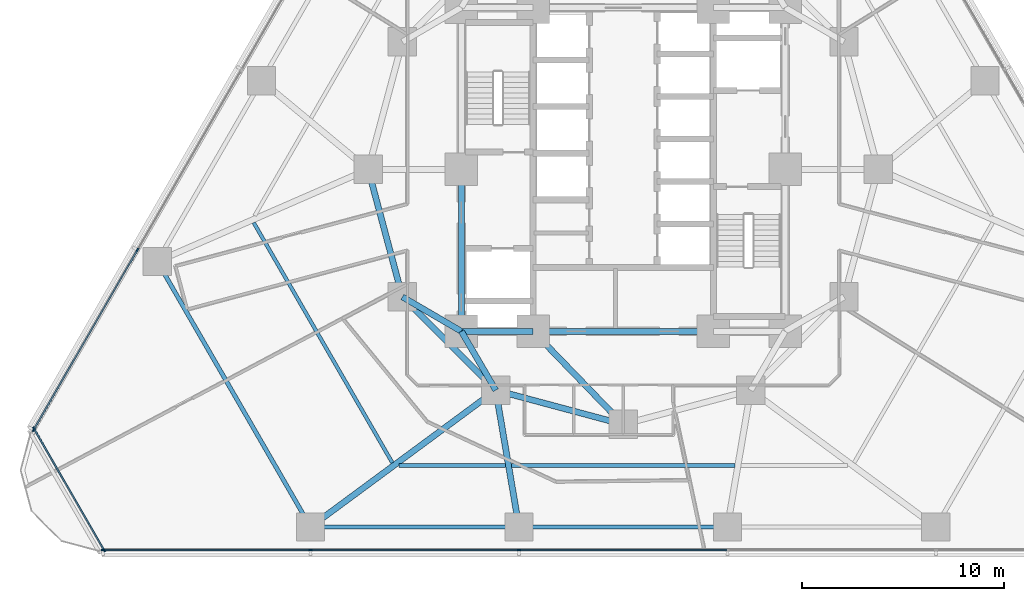
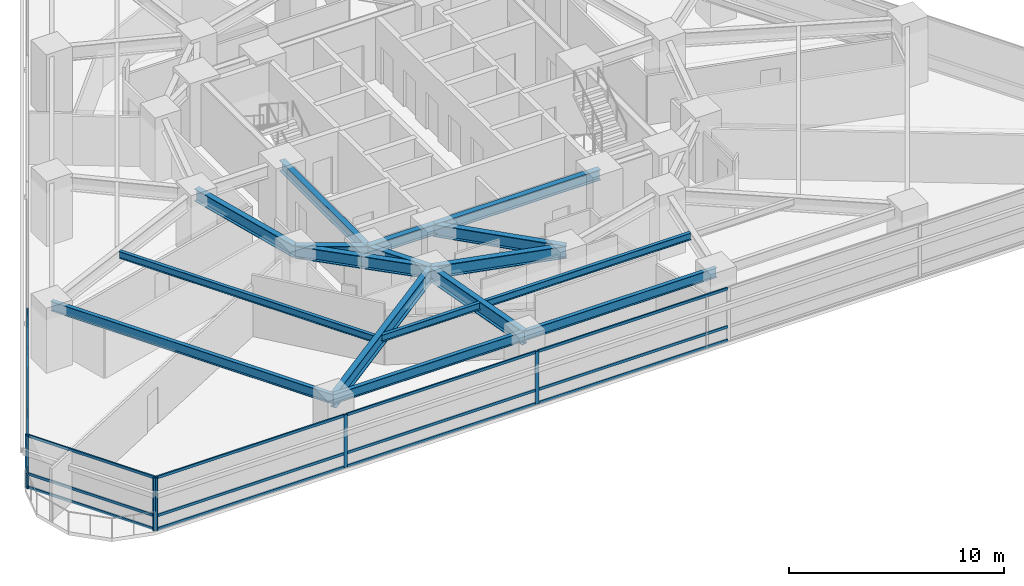
# One storey, part 2 of 15: 22 members, 17 beams, 3 elements without a shape of their own.
"""IFC4 building model written with IfcOpenShell, lengths in metres."""

import ifcopenshell
import ifcopenshell.guid

model = None  # the IFC model being written
_history = None  # IfcOwnerHistory: only IFC2X3 demands one
_inside = {}  # id of a spatial element -> (the spatial element, [elements in it])
_under = {}  # id of a project, library or spatial element -> (it, [spatial elements below it])
_declared = {}  # id of a project -> (the project, [libraries it declares])
_typed = {}  # id of a type object -> (the type object, [elements of that type])
_made_of = {}  # id of a material, layer set ... -> (it, [elements and type objects made of it])


def new_model(schema):
    """Start an empty IFC model of exactly this schema.

    Asked for "IFC4X3", IfcOpenShell would pick the latest addendum, in which some entities
    have other attributes; the version numbers below select the first issue.
    IFC2X3 requires an IfcOwnerHistory on every rooted entity: one is made here for all.
    """
    global model, _history
    if schema == "IFC4X3":
        model = ifcopenshell.file(schema_version=(4, 3, 0, 0))
    else:
        model = ifcopenshell.file(schema=schema)
    _inside.clear()
    _under.clear()
    _declared.clear()
    _typed.clear()
    _made_of.clear()
    _history = None
    if model.schema == "IFC2X3":
        org = make("IfcOrganization", Name="unknown")
        user = make(
            "IfcPersonAndOrganization",
            ThePerson=make("IfcPerson", FamilyName="unknown"),
            TheOrganization=org,
        )
        app = make(
            "IfcApplication",
            ApplicationDeveloper=org,
            Version="unknown",
            ApplicationFullName="unknown",
            ApplicationIdentifier="unknown",
        )
        _history = make(
            "IfcOwnerHistory",
            OwningUser=user,
            OwningApplication=app,
            ChangeAction="ADDED",
            CreationDate=0,
        )
    return model


def make(cls, **values):
    """One entity of the class cls with the attributes given. An attribute that is None is left unset."""
    return model.create_entity(
        cls, **{name: value for name, value in values.items() if value is not None}
    )


def rooted(cls, **values):
    """An entity with a GlobalId (a new one), such as an element, a storey or a relation."""
    return make(cls, GlobalId=ifcopenshell.guid.new(), OwnerHistory=_history, **values)


def si_unit(unit_type, name, prefix=None):
    """IfcSIUnit, for example si_unit("LENGTHUNIT", "METRE", prefix="MILLI")."""
    return make("IfcSIUnit", UnitType=unit_type, Prefix=prefix, Name=name)


def assignment(units):
    """IfcUnitAssignment: the units of a project."""
    return None if units is None else make("IfcUnitAssignment", Units=units)


def point(xyz):
    """IfcCartesianPoint."""
    return None if xyz is None else make("IfcCartesianPoint", Coordinates=xyz)


def direction(xyz):
    """IfcDirection."""
    return None if xyz is None else make("IfcDirection", DirectionRatios=xyz)


def frame(location, z_axis=None, x_axis=None):
    """IfcAxis2Placement3D, a coordinate frame: its origin and axes. An axis left out is left unset."""
    return make(
        "IfcAxis2Placement3D",
        Location=point(location),
        Axis=direction(z_axis),
        RefDirection=direction(x_axis),
    )


def frame_2d(location, x_axis=None):
    """IfcAxis2Placement2D, a coordinate frame in the plane: its origin and x axis."""
    return make(
        "IfcAxis2Placement2D", Location=point(location), RefDirection=direction(x_axis)
    )


def origin():
    """The frame at (0, 0, 0) with its axes left unset."""
    return frame((0.0, 0.0, 0.0))


def origin_2d():
    """The frame at (0, 0) in the plane with its x axis left unset."""
    return frame_2d((0.0, 0.0))


def place(relative_to, where):
    """IfcLocalPlacement: puts the frame where relative to a parent placement (None: the world)."""
    return make(
        "IfcLocalPlacement", PlacementRelTo=relative_to, RelativePlacement=where
    )


def context(
    kind, dimensions, precision=None, world=None, true_north=None, identifier=None
):
    """IfcGeometricRepresentationContext, for example the 3D "Model" context."""
    return make(
        "IfcGeometricRepresentationContext",
        ContextIdentifier=identifier,
        ContextType=kind,
        CoordinateSpaceDimension=dimensions,
        Precision=precision,
        WorldCoordinateSystem=world,
        TrueNorth=true_north,
    )


def subcontext(parent, identifier, kind, view, scale=None):
    """IfcGeometricRepresentationSubContext, for example "Body" below "Model"."""
    return make(
        "IfcGeometricRepresentationSubContext",
        ContextIdentifier=identifier,
        ContextType=kind,
        ParentContext=parent,
        TargetScale=scale,
        TargetView=view,
    )


def project(units=None, contexts=None):
    """IfcProject with its units and contexts."""
    return rooted(
        "IfcProject",
        Name="project",
        RepresentationContexts=contexts,
        UnitsInContext=assignment(units),
    )


def spatial(cls, under=None, at=None, **own):
    """A site, building, storey or space (cls), placed at a placement, below another one or the project."""
    s = rooted(cls, ObjectPlacement=at, **own)
    if under is not None:
        _under.setdefault(under.id(), (under, []))[1].append(s)
    return s


def profile(cls, at=None, kind="AREA", **sizes):
    """A parametric profile (cls). Its sizes go by their IFC names, for example OverallWidth=200.0."""
    return make(cls, ProfileType=kind, Position=at, **sizes)


def rectangle(**sizes):
    """IfcRectangleProfileDef."""
    return profile("IfcRectangleProfileDef", **sizes)


def i_section(**sizes):
    """IfcIShapeProfileDef."""
    return profile("IfcIShapeProfileDef", **sizes)


def extrude(swept, where, along, depth):
    """IfcExtrudedAreaSolid: the profile swept, set in the frame where, extruded along a direction by depth."""
    return make(
        "IfcExtrudedAreaSolid",
        SweptArea=swept,
        Position=where,
        ExtrudedDirection=direction(along),
        Depth=depth,
    )


def shape(context_of_items, identifier, shape_type, items):
    """IfcShapeRepresentation: the items that make up one representation, for example the "Body"."""
    return make(
        "IfcShapeRepresentation",
        ContextOfItems=context_of_items,
        RepresentationIdentifier=identifier,
        RepresentationType=shape_type,
        Items=items,
    )


def material(Name=None, Category=None):
    """IfcMaterial."""
    return make("IfcMaterial", Name=Name, Category=Category)


def layer(
    of_material, thickness, ventilated=None, Name=None, Category=None, Priority=None
):
    """IfcMaterialLayer: one layer of a wall or slab, of a material (None: an air gap)."""
    return make(
        "IfcMaterialLayer",
        Material=of_material,
        LayerThickness=thickness,
        IsVentilated=ventilated,
        Name=Name,
        Category=Category,
        Priority=Priority,
    )


def layer_set(layers, Name=None):
    """IfcMaterialLayerSet."""
    return make("IfcMaterialLayerSet", MaterialLayers=layers, LayerSetName=Name)


def material_profile(
    of_material, cross_section, Name=None, Category=None, Priority=None
):
    """IfcMaterialProfile: a cross section and its material."""
    return make(
        "IfcMaterialProfile",
        Name=Name,
        Material=of_material,
        Profile=cross_section,
        Priority=Priority,
        Category=Category,
    )


def profile_set(profiles, Name=None, composite=None):
    """IfcMaterialProfileSet."""
    return make(
        "IfcMaterialProfileSet",
        Name=Name,
        MaterialProfiles=profiles,
        CompositeProfile=composite,
    )


def made_of(thing, what):
    """Note that an element or type object is made of a material, layer set ...; save() writes the relation."""
    if what is not None:
        _made_of.setdefault(what.id(), (what, []))[1].append(thing)
    return thing


def type_object(cls, material=None, **own):
    """A type object (cls), such as IfcWallType, which elements share."""
    return made_of(rooted(cls, **own), material)


def element(
    cls,
    number,
    at=None,
    inside=None,
    cuts=None,
    type_object=None,
    material=None,
    context=None,
    identifier="Body",
    shape_type=None,
    held_by="IfcProductDefinitionShape",
    body=None,
    shapes=None,
    **own,
):
    """One element of the class cls, such as IfcWall. Its Tag is "e" and its number.

    at: its placement. inside: the storey or other place that contains it. cuts: it is an
    opening in that element (IfcRelVoidsElement). A single representation is given by context,
    identifier, shape_type and body (its items); several are given by shapes. held_by: the class
    of the entity that holds the representations. save() writes the other relations.
    """
    e = rooted(cls, Tag="e%d" % number, ObjectPlacement=at, **own)
    if body is not None:
        shapes = [shape(context, identifier, shape_type, body)]
    if shapes is not None:
        e.Representation = make(held_by, Representations=shapes)
    if inside is not None:
        _inside.setdefault(inside.id(), (inside, []))[1].append(e)
    if cuts is not None:
        rooted(
            "IfcRelVoidsElement", RelatingBuildingElement=cuts, RelatedOpeningElement=e
        )
    if type_object is not None:
        _typed.setdefault(type_object.id(), (type_object, []))[1].append(e)
    return made_of(e, material)


def aggregate(whole, parts):
    """IfcRelAggregates: a whole, such as a stair, and the parts it consists of."""
    return rooted("IfcRelAggregates", RelatingObject=whole, RelatedObjects=parts)


def save(model, path):
    """Write the relations noted so far, then the file.

    IfcRelAggregates (storeys below a building ...), IfcRelContainedInSpatialStructure (elements
    in a storey), IfcRelDefinesByType, IfcRelAssociatesMaterial and IfcRelDeclares: one each for
    every whole, place, type object, material and project.
    """
    for whole, parts in _under.values():
        aggregate(whole, parts)
    for where, things in _inside.values():
        rooted(
            "IfcRelContainedInSpatialStructure",
            RelatedElements=things,
            RelatingStructure=where,
        )
    for kind, things in _typed.values():
        rooted("IfcRelDefinesByType", RelatedObjects=things, RelatingType=kind)
    for what, things in _made_of.values():
        rooted("IfcRelAssociatesMaterial", RelatedObjects=things, RelatingMaterial=what)
    for by, libraries in _declared.values():
        rooted("IfcRelDeclares", RelatingContext=by, RelatedDefinitions=libraries)
    model.write(path)


model = new_model("IFC4")

# Units and contexts
model_context = context("Model", 3, precision=1e-05, world=origin(), true_north=direction((0.0, 1.0)))
body_context = subcontext(model_context, "Body", "Model", "MODEL_VIEW")
ifc_project = project(units=[si_unit("LENGTHUNIT", "METRE"), si_unit("AREAUNIT", "SQUARE_METRE"), si_unit("VOLUMEUNIT", "CUBIC_METRE"), si_unit("PLANEANGLEUNIT", "RADIAN"), si_unit("MASSUNIT", "GRAM", prefix="KILO")], contexts=[model_context])

# Site, building, storey
site_placement = place(None, origin())
site = spatial("IfcSite", under=ifc_project, at=site_placement, CompositionType="ELEMENT")
building_placement = place(site_placement, origin())
building = spatial("IfcBuilding", under=site, at=building_placement, Name="Terralouvre Media Tower", CompositionType="ELEMENT")
storey_placement = place(building_placement, frame((0.0, 0.0, 33.39990234375)))
storey = spatial("IfcBuildingStorey", under=building, at=storey_placement, Name="L07", CompositionType="ELEMENT", Elevation=33.39990234375)

# Beams
ifc_material_1 = material(Name="Structural steel S355J2", Category="steel")
ifc_material_profile_1 = material_profile(ifc_material_1, i_section(OverallWidth=0.179931640625, OverallDepth=0.39990234375, WebThickness=0.008544921875, FlangeThickness=0.013427734375, at=origin_2d()), Name="IPE 400")
ifc_profile_set_1 = profile_set([ifc_material_profile_1], Name="Structural steel S355J2")
beam_type_1 = type_object("IfcBeamType", Name="Composite Floor Joist J-IPE400 (IPE 400)", PredefinedType="JOIST", material=ifc_profile_set_1)
beam_1_placement = place(storey_placement, frame((-18.2587890625, -2.630615234375, 3.300048828125), z_axis=(0.500011895338, -0.866018535899, 0.0), x_axis=(0.866018535899, 0.500011895338, 0.0)))
element("IfcBeam", 1, at=beam_1_placement, inside=storey, type_object=beam_type_1, Name="L07 Framing Beam JT-L07-01", PredefinedType="JOIST", context=body_context, shape_type="SweptSolid", body=[
    extrude(i_section(OverallWidth=0.179931640625, OverallDepth=0.39990234375, WebThickness=0.008544921875, FlangeThickness=0.013427734375, at=origin_2d()), origin(), (0.0, 0.0, 1.0), 13.702392578125),
])
beam_2_placement = place(storey_placement, frame((-11.08203125, -14.627197265625, 3.300048828125), z_axis=(1.0, 0.0, 0.0), x_axis=(0.0, 1.0, 0.0)))
element("IfcBeam", 2, at=beam_2_placement, inside=storey, type_object=beam_type_1, Name="L07 Framing Beam JT-L07-02", PredefinedType="JOIST", context=body_context, shape_type="SweptSolid", body=[
    extrude(i_section(OverallWidth=0.179931640625, OverallDepth=0.39990234375, WebThickness=0.008544921875, FlangeThickness=0.013427734375, at=origin_2d()), origin(), (0.0, 0.0, 1.0), 5.264404296875),
])
beam_3_placement = place(storey_placement, frame((-5.517333984375, -14.627197265625, 3.300048828125), z_axis=(1.0, 0.0, 0.0), x_axis=(0.0, 1.0, 0.0)))
element("IfcBeam", 3, at=beam_3_placement, inside=storey, type_object=beam_type_1, Name="L07 Framing Beam JT-L07-03", PredefinedType="JOIST", context=body_context, shape_type="SweptSolid", body=[
    extrude(i_section(OverallWidth=0.179931640625, OverallDepth=0.39990234375, WebThickness=0.008544921875, FlangeThickness=0.013427734375, at=origin_2d()), origin(), (0.0, 0.0, 1.0), 11.03466796875),
])

# Curtain wall, members
ifc_material_2 = material(Name="Low-iron laminated double glazing with solar-control coating", Category="glass")
ifc_layer_1 = layer(ifc_material_2, 0.1650390625, Name="Lower Media Tower Unitised Curtain Wall CW-02")
ifc_layer_set_1 = layer_set([ifc_layer_1], Name="Low-iron laminated double glazing with solar-control coating")
curtain_wall_type_1 = type_object("IfcCurtainWallType", Name="Lower Media Tower Unitised Curtain Wall CW-02", PredefinedType="NOTDEFINED", material=ifc_layer_set_1)
curtain_wall_1_placement = place(storey_placement, origin())
curtain_wall_1 = element("IfcCurtainWall", 4, at=curtain_wall_1_placement, inside=storey, type_object=curtain_wall_type_1, Name="L07 Facade Curtain Wall F0", PredefinedType="NOTDEFINED")
ifc_material_3 = material(Name="Anodised extruded aluminium 6063-T6", Category="aluminium")
ifc_material_profile_2 = material_profile(ifc_material_3, rectangle(XDim=0.074951171875, YDim=0.14990234375, at=origin_2d()), Name="ALU 75x150")
ifc_profile_set_2 = profile_set([ifc_material_profile_2], Name="Anodised extruded aluminium 6063-T6")
member_type_1 = type_object("IfcMemberType", Name="Curtain-Wall Horizontal Transom TR-150", PredefinedType="USERDEFINED", material=ifc_profile_set_2)
member_1_placement = place(storey_placement, frame((-25.675048828125, -18.796875, 0.03759765625), z_axis=(1.0, 0.0, 0.0), x_axis=(0.0, 1.0, 0.0)))
member_1 = element("IfcMember", 5, at=member_1_placement, type_object=member_type_1, Name="CW-02 transom 1.1", ObjectType="TRANSOM", PredefinedType="USERDEFINED", context=body_context, shape_type="SweptSolid", body=[
    extrude(rectangle(XDim=0.074951171875, YDim=0.14990234375, at=origin_2d()), origin(), (0.0, 0.0, 1.0), 10.1875),
])
member_2_placement = place(storey_placement, frame((-25.675048828125, -18.796875, 0.800048828125), z_axis=(1.0, 0.0, 0.0), x_axis=(0.0, 1.0, 0.0)))
member_2 = element("IfcMember", 6, at=member_2_placement, type_object=member_type_1, Name="CW-02 transom 1.2", ObjectType="TRANSOM", PredefinedType="USERDEFINED", context=body_context, shape_type="SweptSolid", body=[
    extrude(rectangle(XDim=0.074951171875, YDim=0.14990234375, at=origin_2d()), origin(), (0.0, 0.0, 1.0), 10.1875),
])
member_3_placement = place(storey_placement, frame((-25.675048828125, -18.796875, 2.962646484375), z_axis=(1.0, 0.0, 0.0), x_axis=(0.0, 1.0, 0.0)))
member_3 = element("IfcMember", 7, at=member_3_placement, type_object=member_type_1, Name="CW-02 transom 1.3", ObjectType="TRANSOM", PredefinedType="USERDEFINED", context=body_context, shape_type="SweptSolid", body=[
    extrude(rectangle(XDim=0.074951171875, YDim=0.14990234375, at=origin_2d()), origin(), (0.0, 0.0, 1.0), 10.1875),
])
member_4_placement = place(storey_placement, frame((-15.41259765625, -18.796875, 0.03759765625), z_axis=(1.0, 0.0, 0.0), x_axis=(0.0, 1.0, 0.0)))
member_4 = element("IfcMember", 8, at=member_4_placement, type_object=member_type_1, Name="CW-02 transom 2.1", ObjectType="TRANSOM", PredefinedType="USERDEFINED", context=body_context, shape_type="SweptSolid", body=[
    extrude(rectangle(XDim=0.074951171875, YDim=0.14990234375, at=origin_2d()), origin(), (0.0, 0.0, 1.0), 10.22509765625),
])
member_5_placement = place(storey_placement, frame((-15.41259765625, -18.796875, 0.800048828125), z_axis=(1.0, 0.0, 0.0), x_axis=(0.0, 1.0, 0.0)))
member_5 = element("IfcMember", 9, at=member_5_placement, type_object=member_type_1, Name="CW-02 transom 2.2", ObjectType="TRANSOM", PredefinedType="USERDEFINED", context=body_context, shape_type="SweptSolid", body=[
    extrude(rectangle(XDim=0.074951171875, YDim=0.14990234375, at=origin_2d()), origin(), (0.0, 0.0, 1.0), 10.22509765625),
])
member_6_placement = place(storey_placement, frame((-15.41259765625, -18.796875, 2.962646484375), z_axis=(1.0, 0.0, 0.0), x_axis=(0.0, 1.0, 0.0)))
member_6 = element("IfcMember", 10, at=member_6_placement, type_object=member_type_1, Name="CW-02 transom 2.3", ObjectType="TRANSOM", PredefinedType="USERDEFINED", context=body_context, shape_type="SweptSolid", body=[
    extrude(rectangle(XDim=0.074951171875, YDim=0.14990234375, at=origin_2d()), origin(), (0.0, 0.0, 1.0), 10.22509765625),
])
member_7_placement = place(storey_placement, frame((-5.112548828125, -18.796875, 0.03759765625), z_axis=(1.0, 0.0, 0.0), x_axis=(0.0, 1.0, 0.0)))
member_7 = element("IfcMember", 11, at=member_7_placement, type_object=member_type_1, Name="CW-02 transom 3.1", ObjectType="TRANSOM", PredefinedType="USERDEFINED", context=body_context, shape_type="SweptSolid", body=[
    extrude(rectangle(XDim=0.074951171875, YDim=0.14990234375, at=origin_2d()), origin(), (0.0, 0.0, 1.0), 10.22509765625),
])
member_8_placement = place(storey_placement, frame((-5.112548828125, -18.796875, 0.800048828125), z_axis=(1.0, 0.0, 0.0), x_axis=(0.0, 1.0, 0.0)))
member_8 = element("IfcMember", 12, at=member_8_placement, type_object=member_type_1, Name="CW-02 transom 3.2", ObjectType="TRANSOM", PredefinedType="USERDEFINED", context=body_context, shape_type="SweptSolid", body=[
    extrude(rectangle(XDim=0.074951171875, YDim=0.14990234375, at=origin_2d()), origin(), (0.0, 0.0, 1.0), 10.22509765625),
])
member_9_placement = place(storey_placement, frame((-5.112548828125, -18.796875, 2.962646484375), z_axis=(1.0, 0.0, 0.0), x_axis=(0.0, 1.0, 0.0)))
member_9 = element("IfcMember", 13, at=member_9_placement, type_object=member_type_1, Name="CW-02 transom 3.3", ObjectType="TRANSOM", PredefinedType="USERDEFINED", context=body_context, shape_type="SweptSolid", body=[
    extrude(rectangle(XDim=0.074951171875, YDim=0.14990234375, at=origin_2d()), origin(), (0.0, 0.0, 1.0), 10.22509765625),
])

curtain_wall_2_placement = place(storey_placement, origin())
curtain_wall_2 = element("IfcCurtainWall", 14, at=curtain_wall_2_placement, inside=storey, type_object=curtain_wall_type_1, Name="L07 Facade Curtain Wall F2", PredefinedType="NOTDEFINED")
member_10_placement = place(storey_placement, frame((-24.022216796875, -4.01416015625, 0.03759765625), z_axis=(-0.499994895054, -0.866028351106, 0.0), x_axis=(0.866028351106, -0.499994895054, 0.0)))
member_10 = element("IfcMember", 15, at=member_10_placement, type_object=member_type_1, Name="CW-02 transom 5.1", ObjectType="TRANSOM", PredefinedType="USERDEFINED", context=body_context, shape_type="SweptSolid", body=[
    extrude(rectangle(XDim=0.074951171875, YDim=0.14990234375, at=origin_2d()), origin(), (0.0, 0.0, 1.0), 10.1875),
])
member_11_placement = place(storey_placement, frame((-24.022216796875, -4.01416015625, 0.800048828125), z_axis=(-0.499994895054, -0.866028351106, 0.0), x_axis=(0.866028351106, -0.499994895054, 0.0)))
member_11 = element("IfcMember", 16, at=member_11_placement, type_object=member_type_1, Name="CW-02 transom 5.2", ObjectType="TRANSOM", PredefinedType="USERDEFINED", context=body_context, shape_type="SweptSolid", body=[
    extrude(rectangle(XDim=0.074951171875, YDim=0.14990234375, at=origin_2d()), origin(), (0.0, 0.0, 1.0), 10.1875),
])
member_12_placement = place(storey_placement, frame((-24.022216796875, -4.01416015625, 2.962646484375), z_axis=(-0.499994895054, -0.866028351106, 0.0), x_axis=(0.866028351106, -0.499994895054, 0.0)))
member_12 = element("IfcMember", 17, at=member_12_placement, type_object=member_type_1, Name="CW-02 transom 5.3", ObjectType="TRANSOM", PredefinedType="USERDEFINED", context=body_context, shape_type="SweptSolid", body=[
    extrude(rectangle(XDim=0.074951171875, YDim=0.14990234375, at=origin_2d()), origin(), (0.0, 0.0, 1.0), 10.1875),
])

ifc_material_4 = material(Name="Low-iron laminated double glazing with solar-control coating", Category="glass")
ifc_layer_2 = layer(ifc_material_4, 0.1650390625, Name="Rounded Wind-Corner Curved Glazing CW-04")
ifc_layer_set_2 = layer_set([ifc_layer_2], Name="Low-iron laminated double glazing with solar-control coating")
curtain_wall_type_2 = type_object("IfcCurtainWallType", Name="Rounded Wind-Corner Curved Glazing CW-04", PredefinedType="NOTDEFINED", material=ifc_layer_set_2)
curtain_wall_3_placement = place(storey_placement, origin())
curtain_wall_3 = element("IfcCurtainWall", 18, at=curtain_wall_3_placement, inside=storey, type_object=curtain_wall_type_2, Name="L07 Rounded Wind-Corner Curtain Wall C0", PredefinedType="NOTDEFINED")
member_13_placement = place(storey_placement, frame((-29.0986328125, -12.836669921875, 0.03759765625), z_axis=(0.499998495495, -0.866026272409, 0.0), x_axis=(0.866026272409, 0.499998495495, 0.0)))
member_13 = element("IfcMember", 19, at=member_13_placement, type_object=member_type_1, Name="CW-04 transom 1.1", ObjectType="TRANSOM", PredefinedType="USERDEFINED", context=body_context, shape_type="SweptSolid", body=[
    extrude(rectangle(XDim=0.074951171875, YDim=0.14990234375, at=origin_2d()), origin(), (0.0, 0.0, 1.0), 6.86474609375),
])
member_14_placement = place(storey_placement, frame((-29.0986328125, -12.836669921875, 0.800048828125), z_axis=(0.499998495495, -0.866026272409, 0.0), x_axis=(0.866026272409, 0.499998495495, 0.0)))
member_14 = element("IfcMember", 20, at=member_14_placement, type_object=member_type_1, Name="CW-04 transom 1.2", ObjectType="TRANSOM", PredefinedType="USERDEFINED", context=body_context, shape_type="SweptSolid", body=[
    extrude(rectangle(XDim=0.074951171875, YDim=0.14990234375, at=origin_2d()), origin(), (0.0, 0.0, 1.0), 6.86474609375),
])
member_15_placement = place(storey_placement, frame((-29.0986328125, -12.836669921875, 2.962646484375), z_axis=(0.499998495495, -0.866026272409, 0.0), x_axis=(0.866026272409, 0.499998495495, 0.0)))
member_15 = element("IfcMember", 21, at=member_15_placement, type_object=member_type_1, Name="CW-04 transom 1.3", ObjectType="TRANSOM", PredefinedType="USERDEFINED", context=body_context, shape_type="SweptSolid", body=[
    extrude(rectangle(XDim=0.074951171875, YDim=0.14990234375, at=origin_2d()), origin(), (0.0, 0.0, 1.0), 6.86474609375),
])

# Member
ifc_material_5 = material(Name="Anodised extruded aluminium 6063-T6", Category="aluminium")
ifc_material_profile_3 = material_profile(ifc_material_5, rectangle(XDim=0.074951171875, YDim=0.179931640625, at=origin_2d()), Name="ALU 75x180")
ifc_profile_set_3 = profile_set([ifc_material_profile_3], Name="Anodised extruded aluminium 6063-T6")
member_type_2 = type_object("IfcMemberType", Name="Curtain-Wall Vertical Mullion ML-180", PredefinedType="MULLION", material=ifc_profile_set_3)
member_16_placement = place(storey_placement, frame((-25.71240234375, -18.796875, 0.0), z_axis=(0.0, 0.0, 1.0), x_axis=(0.0, 1.0, 0.0)))
member_16 = element("IfcMember", 22, at=member_16_placement, type_object=member_type_2, Name="CW-02 mullion 1", PredefinedType="MULLION", context=body_context, shape_type="SweptSolid", body=[
    extrude(rectangle(XDim=0.074951171875, YDim=0.179931640625, at=origin_2d()), origin(), (0.0, 0.0, 1.0), 3.0),
])

member_17_placement = place(storey_placement, frame((-15.449951171875, -18.796875, 0.0), z_axis=(0.0, 0.0, 1.0), x_axis=(0.0, 1.0, 0.0)))
member_17 = element("IfcMember", 23, at=member_17_placement, type_object=member_type_2, Name="CW-02 mullion 2", PredefinedType="MULLION", context=body_context, shape_type="SweptSolid", body=[
    extrude(rectangle(XDim=0.074951171875, YDim=0.179931640625, at=origin_2d()), origin(), (0.0, 0.0, 1.0), 3.0),
])

member_18_placement = place(storey_placement, frame((-5.14990234375, -18.796875, 0.0), z_axis=(0.0, 0.0, 1.0), x_axis=(0.0, 1.0, 0.0)))
member_18 = element("IfcMember", 24, at=member_18_placement, type_object=member_type_2, Name="CW-02 mullion 3", PredefinedType="MULLION", context=body_context, shape_type="SweptSolid", body=[
    extrude(rectangle(XDim=0.074951171875, YDim=0.179931640625, at=origin_2d()), origin(), (0.0, 0.0, 1.0), 3.0),
])

aggregate(curtain_wall_1, [member_16, member_17, member_18, member_1, member_2, member_3, member_4, member_5, member_6, member_7, member_8, member_9])

member_19_placement = place(storey_placement, frame((-24.00341796875, -3.981689453125, 0.0), z_axis=(0.0, 0.0, 1.0), x_axis=(0.866025412057, -0.499999985671, 0.0)))
member_19 = element("IfcMember", 25, at=member_19_placement, type_object=member_type_2, Name="CW-02 mullion 5", PredefinedType="MULLION", context=body_context, shape_type="SweptSolid", body=[
    extrude(rectangle(XDim=0.074951171875, YDim=0.179931640625, at=origin_2d()), origin(), (0.0, 0.0, 1.0), 3.0),
])

member_20_placement = place(storey_placement, frame((-29.134765625, -12.869384765625, 0.0), z_axis=(0.0, 0.0, 1.0), x_axis=(0.866025412057, -0.499999985671, 0.0)))
member_20 = element("IfcMember", 26, at=member_20_placement, type_object=member_type_2, Name="CW-02 mullion 6", PredefinedType="MULLION", context=body_context, shape_type="SweptSolid", body=[
    extrude(rectangle(XDim=0.074951171875, YDim=0.179931640625, at=origin_2d()), origin(), (0.0, 0.0, 1.0), 3.0),
])

aggregate(curtain_wall_2, [member_19, member_20, member_10, member_11, member_12])

member_21_placement = place(storey_placement, frame((-29.117431640625, -12.80419921875, 0.0), z_axis=(0.0, 0.0, 1.0), x_axis=(0.866025581895, 0.499999691503, 0.0)))
member_21 = element("IfcMember", 27, at=member_21_placement, type_object=member_type_2, Name="CW-04 mullion 1", PredefinedType="MULLION", context=body_context, shape_type="SweptSolid", body=[
    extrude(rectangle(XDim=0.074951171875, YDim=0.179931640625, at=origin_2d()), origin(), (0.0, 0.0, 1.0), 3.0),
])

member_22_placement = place(storey_placement, frame((-25.6474609375, -18.814208984375, 0.0), z_axis=(0.0, 0.0, 1.0), x_axis=(0.866025581895, 0.499999691503, 0.0)))
member_22 = element("IfcMember", 28, at=member_22_placement, type_object=member_type_2, Name="CW-04 mullion 2", PredefinedType="MULLION", context=body_context, shape_type="SweptSolid", body=[
    extrude(rectangle(XDim=0.074951171875, YDim=0.179931640625, at=origin_2d()), origin(), (0.0, 0.0, 1.0), 3.0),
])

aggregate(curtain_wall_3, [member_21, member_22, member_13, member_14, member_15])

# Beams
ifc_material_6 = material(Name="Structural steel S355J2", Category="steel")
ifc_material_profile_4 = material_profile(ifc_material_6, i_section(OverallWidth=0.2099609375, OverallDepth=0.550048828125, WebThickness=0.010986328125, FlangeThickness=0.01708984375, at=origin_2d()), Name="IPE 550")
ifc_profile_set_4 = profile_set([ifc_material_profile_4], Name="Structural steel S355J2")
beam_type_2 = type_object("IfcBeamType", Name="Perimeter Spandrel Beam SPB-550 (IPE 550)", PredefinedType="SPANDREL", material=ifc_profile_set_4)
beam_4_placement = place(storey_placement, frame((-23.02490234375, -4.546630859375, 3.22509765625), z_axis=(0.500002375365, -0.866024032363, 0.0), x_axis=(0.866024032363, 0.500002375365, 0.0)))
element("IfcBeam", 29, at=beam_4_placement, inside=storey, type_object=beam_type_2, Name="L07 Framing Beam BM-L07-PR01", PredefinedType="SPANDREL", context=body_context, shape_type="SweptSolid", body=[
    extrude(i_section(OverallWidth=0.2099609375, OverallDepth=0.550048828125, WebThickness=0.010986328125, FlangeThickness=0.01708984375, at=origin_2d()), origin(), (0.0, 0.0, 1.0), 15.14990234375),
])
beam_5_placement = place(storey_placement, frame((-15.449951171875, -17.666748046875, 3.22509765625), z_axis=(1.0, 0.0, 0.0), x_axis=(0.0, 1.0, 0.0)))
element("IfcBeam", 30, at=beam_5_placement, inside=storey, type_object=beam_type_2, Name="L07 Framing Beam BM-L07-PR02", PredefinedType="SPANDREL", context=body_context, shape_type="SweptSolid", body=[
    extrude(i_section(OverallWidth=0.2099609375, OverallDepth=0.550048828125, WebThickness=0.010986328125, FlangeThickness=0.01708984375, at=origin_2d()), origin(), (0.0, 0.0, 1.0), 10.300048828125),
])
beam_6_placement = place(storey_placement, frame((-5.14990234375, -17.666748046875, 3.22509765625), z_axis=(1.0, 0.0, 0.0), x_axis=(0.0, 1.0, 0.0)))
element("IfcBeam", 31, at=beam_6_placement, inside=storey, type_object=beam_type_2, Name="L07 Framing Beam BM-L07-PR03", PredefinedType="SPANDREL", context=body_context, shape_type="SweptSolid", body=[
    extrude(i_section(OverallWidth=0.2099609375, OverallDepth=0.550048828125, WebThickness=0.010986328125, FlangeThickness=0.01708984375, at=origin_2d()), origin(), (0.0, 0.0, 1.0), 10.2998046875),
])
ifc_material_7 = material(Name="Structural steel S460M", Category="steel")
ifc_material_profile_5 = material_profile(ifc_material_7, i_section(OverallWidth=0.300048828125, OverallDepth=0.60009765625, WebThickness=0.015380859375, FlangeThickness=0.030029296875, at=origin_2d()), Name="HEB 600")
ifc_profile_set_5 = profile_set([ifc_material_profile_5], Name="Structural steel S460M")
beam_type_3 = type_object("IfcBeamType", Name="Primary Floor Girder B-HEB600 (HEB 600)", PredefinedType="BEAM", material=ifc_profile_set_5)
beam_7_placement = place(storey_placement, frame((-8.0, -8.0, 3.2001953125), z_axis=(1.0, 0.0, 0.0), x_axis=(0.0, 1.0, 0.0)))
element("IfcBeam", 32, at=beam_7_placement, inside=storey, type_object=beam_type_3, Name="L07 Framing Beam BM-L07-CPR01", PredefinedType="BEAM", context=body_context, shape_type="SweptSolid", body=[
    extrude(i_section(OverallWidth=0.300048828125, OverallDepth=0.60009765625, WebThickness=0.015380859375, FlangeThickness=0.030029296875, at=origin_2d()), origin(), (0.0, 0.0, 1.0), 3.550048828125),
])
beam_8_placement = place(storey_placement, frame((-4.449951171875, -8.0, 3.2001953125), z_axis=(1.0, 0.0, 0.0), x_axis=(0.0, 1.0, 0.0)))
element("IfcBeam", 33, at=beam_8_placement, inside=storey, type_object=beam_type_3, Name="L07 Framing Beam BM-L07-CPR02", PredefinedType="BEAM", context=body_context, shape_type="SweptSolid", body=[
    extrude(i_section(OverallWidth=0.300048828125, OverallDepth=0.60009765625, WebThickness=0.015380859375, FlangeThickness=0.030029296875, at=origin_2d()), origin(), (0.0, 0.0, 1.0), 8.89990234375),
])
beam_9_placement = place(storey_placement, frame((-8.0, 0.0, 3.2001953125), z_axis=(0.0, -1.0, 0.0), x_axis=(1.0, 0.0, 0.0)))
element("IfcBeam", 34, at=beam_9_placement, inside=storey, type_object=beam_type_3, Name="L07 Framing Beam BM-L07-CPR10", PredefinedType="BEAM", context=body_context, shape_type="SweptSolid", body=[
    extrude(i_section(OverallWidth=0.300048828125, OverallDepth=0.60009765625, WebThickness=0.015380859375, FlangeThickness=0.030029296875, at=origin_2d()), origin(), (0.0, 0.0, 1.0), 8.0),
])
ifc_material_8 = material(Name="Structural steel S460M", Category="steel")
ifc_material_profile_6 = material_profile(ifc_material_8, i_section(OverallWidth=0.300048828125, OverallDepth=0.699951171875, WebThickness=0.01708984375, FlangeThickness=0.031982421875, at=origin_2d()), Name="HEB 700")
ifc_profile_set_6 = profile_set([ifc_material_profile_6], Name="Structural steel S460M")
beam_type_4 = type_object("IfcBeamType", Name="Primary Floor Girder B-HEB700 (HEB 700)", PredefinedType="BEAM", material=ifc_profile_set_6)
beam_10_placement = place(storey_placement, frame((-10.911865234375, -6.300048828125, 3.150146484375), z_axis=(0.707106781187, -0.707106781187, 0.0), x_axis=(0.707106781187, 0.707106781187, 0.0)))
element("IfcBeam", 35, at=beam_10_placement, inside=storey, type_object=beam_type_4, Name="L07 Framing Beam BM-L07-MR01", PredefinedType="BEAM", context=body_context, shape_type="SweptSolid", body=[
    extrude(i_section(OverallWidth=0.300048828125, OverallDepth=0.699951171875, WebThickness=0.01708984375, FlangeThickness=0.031982421875, at=origin_2d()), origin(), (0.0, 0.0, 1.0), 6.52197265625),
])
for number, where, z_axis, x_axis, name in (
    (36, (-6.300048828125, -10.911865234375, 3.150146484375), (0.965920481897, -0.258838989821, 0.0), (0.258838989821, 0.965920481897, 0.0), "L07 Framing Beam BM-L07-MR02"),
    (37, (-12.60009765625, 0.0, 3.150146484375), (0.258838989821, -0.965920481897, 0.0), (0.965920481897, 0.258838989821, 0.0), "L07 Framing Beam BM-L07-MR12"),
):
    element("IfcBeam", number, at=place(storey_placement, frame(where, z_axis=z_axis, x_axis=x_axis)), inside=storey, type_object=beam_type_4, Name=name, PredefinedType="BEAM", context=body_context, shape_type="SweptSolid", body=[
        extrude(i_section(OverallWidth=0.300048828125, OverallDepth=0.699951171875, WebThickness=0.01708984375, FlangeThickness=0.031982421875, at=origin_2d()), origin(), (0.0, 0.0, 1.0), 6.522216796875),
    ])
for number, where, z_axis, x_axis, name in (
    (38, (-8.0, -8.0, 3.150146484375), (-0.863602894532, 0.504172629717, 0.0), (-0.504172629717, -0.863602894532, 0.0), "L07 Framing Beam BM-L07-CM01"),
    (39, (-8.0, -8.0, 3.150146484375), (0.504172629717, -0.863602894532, 0.0), (0.863602894532, 0.504172629717, 0.0), "L07 Framing Beam BM-L07-CM02"),
):
    element("IfcBeam", number, at=place(storey_placement, frame(where, z_axis=z_axis, x_axis=x_axis)), inside=storey, type_object=beam_type_4, Name=name, PredefinedType="BEAM", context=body_context, shape_type="SweptSolid", body=[
        extrude(i_section(OverallWidth=0.300048828125, OverallDepth=0.699951171875, WebThickness=0.01708984375, FlangeThickness=0.031982421875, at=origin_2d()), origin(), (0.0, 0.0, 1.0), 3.371826171875),
    ])
beam_11_placement = place(storey_placement, frame((-4.449951171875, -8.0, 3.150146484375), z_axis=(0.695279715726, -0.718739255155, 0.0), x_axis=(0.718739255155, 0.695279715726, 0.0)))
element("IfcBeam", 40, at=beam_11_placement, inside=storey, type_object=beam_type_4, Name="L07 Framing Beam BM-L07-CM03", PredefinedType="BEAM", context=body_context, shape_type="SweptSolid", body=[
    extrude(i_section(OverallWidth=0.300048828125, OverallDepth=0.699951171875, WebThickness=0.01708984375, FlangeThickness=0.031982421875, at=origin_2d()), origin(), (0.0, 0.0, 1.0), 6.400146484375),
])
ifc_material_9 = material(Name="Structural steel S460M", Category="steel")
ifc_material_profile_7 = material_profile(ifc_material_9, i_section(OverallWidth=0.300048828125, OverallDepth=0.800048828125, WebThickness=0.017578125, FlangeThickness=0.032958984375, at=origin_2d()), Name="HEB 800")
ifc_profile_set_7 = profile_set([ifc_material_profile_7], Name="Structural steel S460M")
beam_type_5 = type_object("IfcBeamType", Name="Primary Floor Girder B-HEB800 (HEB 800)", PredefinedType="BEAM", material=ifc_profile_set_7)
beam_12_placement = place(storey_placement, frame((-6.300048828125, -10.911865234375, 3.10009765625), z_axis=(-0.804515955091, -0.593931038088, 0.0), x_axis=(0.593931038088, -0.804515955091, 0.0)))
element("IfcBeam", 41, at=beam_12_placement, inside=storey, type_object=beam_type_5, Name="L07 Framing Beam BM-L07-RD02", PredefinedType="BEAM", context=body_context, shape_type="SweptSolid", body=[
    extrude(i_section(OverallWidth=0.300048828125, OverallDepth=0.800048828125, WebThickness=0.017578125, FlangeThickness=0.032958984375, at=origin_2d()), origin(), (0.0, 0.0, 1.0), 11.373291015625),
])
beam_13_placement = place(storey_placement, frame((-6.300048828125, -10.911865234375, 3.10009765625), z_axis=(0.167853129882, -0.98581201392, 0.0), x_axis=(0.98581201392, 0.167853129882, 0.0)))
element("IfcBeam", 42, at=beam_13_placement, inside=storey, type_object=beam_type_5, Name="L07 Framing Beam BM-L07-RD03", PredefinedType="BEAM", context=body_context, shape_type="SweptSolid", body=[
    extrude(i_section(OverallWidth=0.300048828125, OverallDepth=0.800048828125, WebThickness=0.017578125, FlangeThickness=0.032958984375, at=origin_2d()), origin(), (0.0, 0.0, 1.0), 6.85205078125),
])

save(model, "model.ifc")
